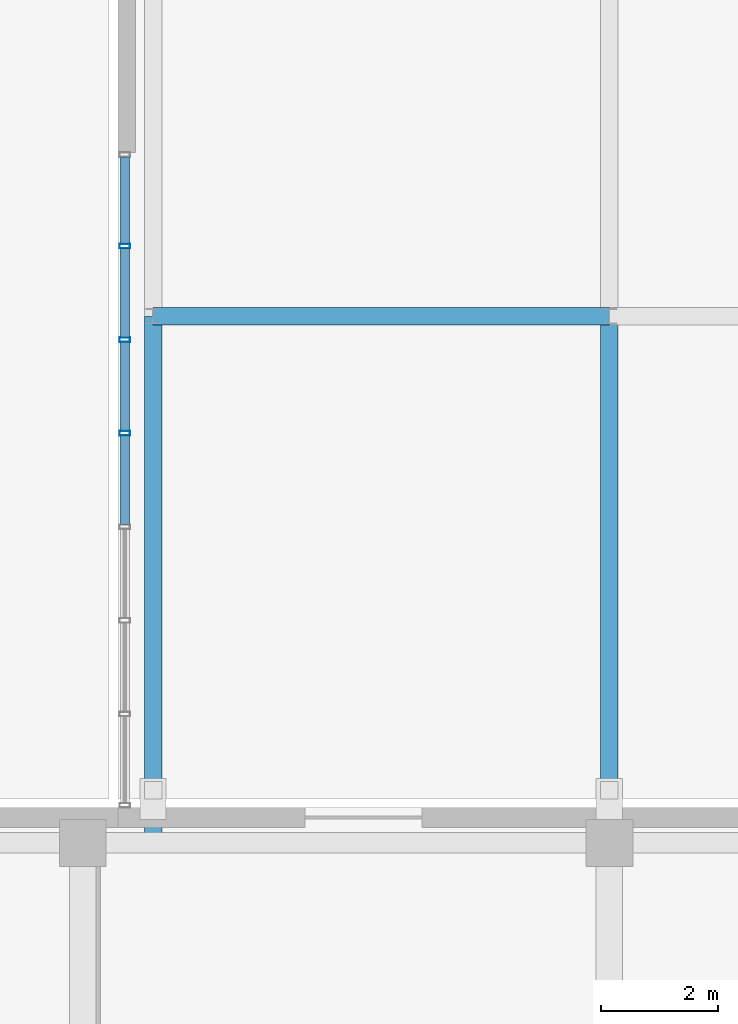
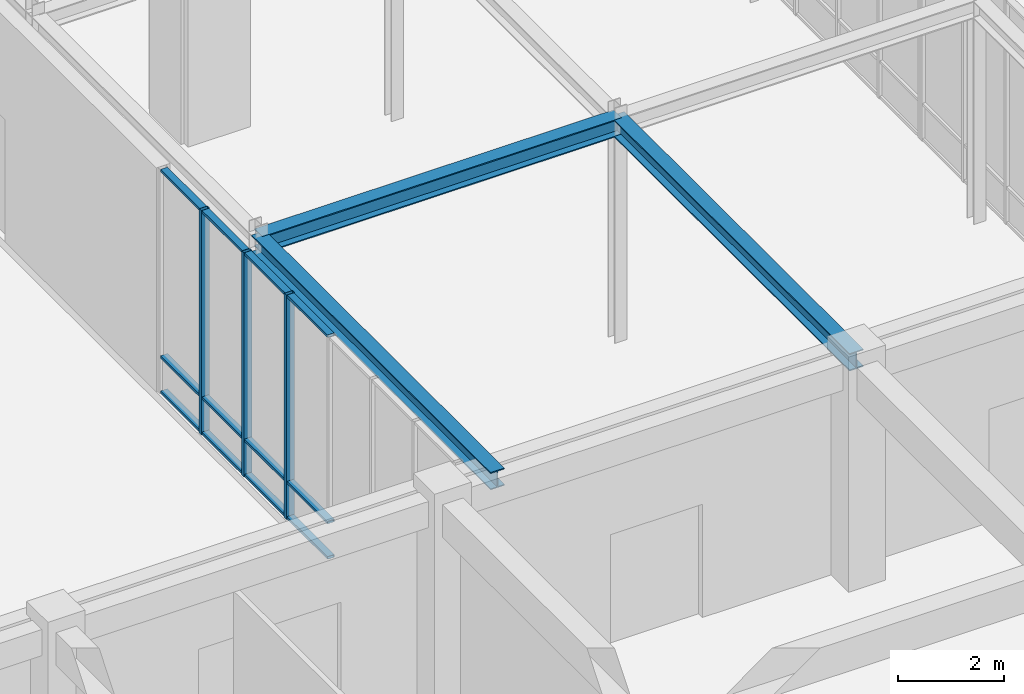
# One storey, part 17 of 122: 15 members, 3 beams, 1 element without a shape of its own.
"""IFC4 building model written with IfcOpenShell, lengths in metres."""

from ifc_helpers import new_model, si_unit, direction, frame, origin, origin_2d, place, context, subcontext, project, spatial, hollow_rectangle, i_section, extrude, material, layer, layer_set, material_profile, profile_set, type_object, element, aggregate, save


model = new_model("IFC4")

# Units and contexts
model_context = context("Model", 3, precision=1e-05, world=origin(), true_north=direction((0.0, 1.0)))
body_context = subcontext(model_context, "Body", "Model", "MODEL_VIEW")
ifc_project = project(units=[si_unit("LENGTHUNIT", "METRE"), si_unit("AREAUNIT", "SQUARE_METRE"), si_unit("VOLUMEUNIT", "CUBIC_METRE"), si_unit("PLANEANGLEUNIT", "RADIAN"), si_unit("MASSUNIT", "GRAM", prefix="KILO")], contexts=[model_context])

# Site, building, storey
site_placement = place(None, origin())
site = spatial("IfcSite", under=ifc_project, at=site_placement, CompositionType="ELEMENT")
building_placement = place(site_placement, origin())
building = spatial("IfcBuilding", under=site, at=building_placement, Name="Zayran Congress Hotel", CompositionType="ELEMENT")
storey_placement = place(building_placement, origin())
storey = spatial("IfcBuildingStorey", under=building, at=storey_placement, Name="L00", CompositionType="ELEMENT", Elevation=0.0)

# Beams
ifc_material_1 = material(Name="Steel S355", Category="steel")
ifc_material_profile_1 = material_profile(ifc_material_1, i_section(OverallWidth=0.300048828125, OverallDepth=0.39990234375, WebThickness=0.013427734375, FlangeThickness=0.02392578125, at=origin_2d()), Name="HEB 400")
ifc_profile_set_1 = profile_set([ifc_material_profile_1], Name="Steel S355")
beam_type = type_object("IfcBeamType", Name="TP-BM-10", PredefinedType="BEAM", material=ifc_profile_set_1)
beam_placement = place(storey_placement, frame((76.199951171875, 42.39990234375, 4.949951171875), z_axis=(1.0, 0.0, 0.0), x_axis=(0.0, 1.0, 0.0)))
element("IfcBeam", 1, at=beam_placement, inside=storey, type_object=beam_type, Name="BM-BR2-L00-2440", PredefinedType="BEAM", context=body_context, shape_type="SweptSolid", body=[
    extrude(i_section(OverallWidth=0.300048828125, OverallDepth=0.39990234375, WebThickness=0.013427734375, FlangeThickness=0.02392578125, at=origin_2d()), origin(), (0.0, 0.0, 1.0), 7.800048828125),
])
for number, where, z_axis, x_axis, name in (
    (2, (76.199951171875, 33.39990234375, 4.949951171875), (0.0, 1.0, 0.0), (-1.0, 0.0, 0.0), "BM-BR2Y-L00-2446"),
    (3, (84.0, 33.39990234375, 4.949951171875), (0.0, 1.0, 0.0), (-1.0, 0.0, 0.0), "BM-BR2Y-L00-2450"),
):
    element("IfcBeam", number, at=place(storey_placement, frame(where, z_axis=z_axis, x_axis=x_axis)), inside=storey, type_object=beam_type, Name=name, PredefinedType="BEAM", context=body_context, shape_type="SweptSolid", body=[
        extrude(i_section(OverallWidth=0.300048828125, OverallDepth=0.39990234375, WebThickness=0.013427734375, FlangeThickness=0.02392578125, at=origin_2d()), origin(), (0.0, 0.0, 1.0), 9.0),
    ])

# Curtain wall, members
ifc_material_2 = material(Name="Anodised aluminium and low-E insulated glass", Category="aluminium")
ifc_layer = layer(ifc_material_2, 0.179931640625)
ifc_layer_set = layer_set([ifc_layer], Name="Anodised aluminium and low-E insulated glass")
curtain_wall_type = type_object("IfcCurtainWallType", Name="CW-BR2-L00-CW-BR2-11200-5150", PredefinedType="USERDEFINED", material=ifc_layer_set)
curtain_wall_placement = place(storey_placement, origin())
curtain_wall = element("IfcCurtainWall", 4, at=curtain_wall_placement, inside=storey, type_object=curtain_wall_type, Name="CW-BR2W-L00-0", ObjectType="CURTAIN WALL", PredefinedType="USERDEFINED")
ifc_material_3 = material(Name="Anodised aluminium framing", Category="aluminium")
ifc_material_profile_2 = material_profile(ifc_material_3, hollow_rectangle(XDim=0.080078125, YDim=0.179931640625, WallThickness=0.0048828125, at=origin_2d()), Name="RHS 180x80x5")
ifc_profile_set_2 = profile_set([ifc_material_profile_2], Name="Anodised aluminium framing")
member_type_1 = type_object("IfcMemberType", Name="TP-CWM-01", PredefinedType="MULLION", material=ifc_profile_set_2)
member_1_placement = place(storey_placement, frame((75.719970703125, 43.60009765625, 0.0), z_axis=(0.0, 0.0, 1.0), x_axis=(0.0, 1.0, 0.0)))
member_1 = element("IfcMember", 5, at=member_1_placement, type_object=member_type_1, Name="CW-BR2W-L00-0-M01", PredefinedType="MULLION", context=body_context, shape_type="SweptSolid", body=[
    extrude(hollow_rectangle(XDim=0.080078125, YDim=0.179931640625, WallThickness=0.0048828125, at=origin_2d()), origin(), (0.0, 0.0, 1.0), 5.14990234375),
])
member_2_placement = place(storey_placement, frame((75.719970703125, 42.0, 0.0), z_axis=(0.0, 0.0, 1.0), x_axis=(0.0, 1.0, 0.0)))
member_2 = element("IfcMember", 6, at=member_2_placement, type_object=member_type_1, Name="CW-BR2W-L00-0-M02", PredefinedType="MULLION", context=body_context, shape_type="SweptSolid", body=[
    extrude(hollow_rectangle(XDim=0.080078125, YDim=0.179931640625, WallThickness=0.0048828125, at=origin_2d()), origin(), (0.0, 0.0, 1.0), 5.14990234375),
])
member_3_placement = place(storey_placement, frame((75.719970703125, 40.39990234375, 0.0), z_axis=(0.0, 0.0, 1.0), x_axis=(0.0, 1.0, 0.0)))
member_3 = element("IfcMember", 7, at=member_3_placement, type_object=member_type_1, Name="CW-BR2W-L00-0-M03", PredefinedType="MULLION", context=body_context, shape_type="SweptSolid", body=[
    extrude(hollow_rectangle(XDim=0.080078125, YDim=0.179931640625, WallThickness=0.0048828125, at=origin_2d()), origin(), (0.0, 0.0, 1.0), 5.14990234375),
])
ifc_material_profile_3 = material_profile(ifc_material_3, hollow_rectangle(XDim=0.06005859375, YDim=0.14990234375, WallThickness=0.00390625, at=origin_2d()), Name="RHS 150x60x4")
ifc_profile_set_3 = profile_set([ifc_material_profile_3], Name="Anodised aluminium framing")
member_type_2 = type_object("IfcMemberType", Name="TP-CWT-01", PredefinedType="USERDEFINED", material=ifc_profile_set_3)
member_4_placement = place(storey_placement, frame((75.719970703125, 45.1201171875, 0.030029296875), z_axis=(0.0, -1.0, 0.0), x_axis=(0.0, 0.0, 1.0)))
member_4 = element("IfcMember", 8, at=member_4_placement, type_object=member_type_2, Name="CW-BR2W-L00-0-T00-0", ObjectType="TRANSOM", PredefinedType="USERDEFINED", context=body_context, shape_type="SweptSolid", body=[
    extrude(hollow_rectangle(XDim=0.06005859375, YDim=0.14990234375, WallThickness=0.00390625, at=origin_2d()), origin(), (0.0, 0.0, 1.0), 1.480224609375),
])
member_5_placement = place(storey_placement, frame((75.719970703125, 45.1201171875, 0.840087890625), z_axis=(0.0, -1.0, 0.0), x_axis=(0.0, 0.0, 1.0)))
member_5 = element("IfcMember", 9, at=member_5_placement, type_object=member_type_2, Name="CW-BR2W-L00-0-T00-1", ObjectType="TRANSOM", PredefinedType="USERDEFINED", context=body_context, shape_type="SweptSolid", body=[
    extrude(hollow_rectangle(XDim=0.06005859375, YDim=0.14990234375, WallThickness=0.00390625, at=origin_2d()), origin(), (0.0, 0.0, 1.0), 1.480224609375),
])
member_6_placement = place(storey_placement, frame((75.719970703125, 45.1201171875, 5.1201171875), z_axis=(0.0, -1.0, 0.0), x_axis=(0.0, 0.0, 1.0)))
member_6 = element("IfcMember", 10, at=member_6_placement, type_object=member_type_2, Name="CW-BR2W-L00-0-T00-2", ObjectType="TRANSOM", PredefinedType="USERDEFINED", context=body_context, shape_type="SweptSolid", body=[
    extrude(hollow_rectangle(XDim=0.06005859375, YDim=0.14990234375, WallThickness=0.00390625, at=origin_2d()), origin(), (0.0, 0.0, 1.0), 1.480224609375),
])
member_7_placement = place(storey_placement, frame((75.719970703125, 43.56005859375, 0.030029296875), z_axis=(0.0, -1.0, 0.0), x_axis=(0.0, 0.0, 1.0)))
member_7 = element("IfcMember", 11, at=member_7_placement, type_object=member_type_2, Name="CW-BR2W-L00-0-T01-0", ObjectType="TRANSOM", PredefinedType="USERDEFINED", context=body_context, shape_type="SweptSolid", body=[
    extrude(hollow_rectangle(XDim=0.06005859375, YDim=0.14990234375, WallThickness=0.00390625, at=origin_2d()), origin(), (0.0, 0.0, 1.0), 1.52001953125),
])
member_8_placement = place(storey_placement, frame((75.719970703125, 43.56005859375, 0.840087890625), z_axis=(0.0, -1.0, 0.0), x_axis=(0.0, 0.0, 1.0)))
member_8 = element("IfcMember", 12, at=member_8_placement, type_object=member_type_2, Name="CW-BR2W-L00-0-T01-1", ObjectType="TRANSOM", PredefinedType="USERDEFINED", context=body_context, shape_type="SweptSolid", body=[
    extrude(hollow_rectangle(XDim=0.06005859375, YDim=0.14990234375, WallThickness=0.00390625, at=origin_2d()), origin(), (0.0, 0.0, 1.0), 1.52001953125),
])
member_9_placement = place(storey_placement, frame((75.719970703125, 43.56005859375, 5.1201171875), z_axis=(0.0, -1.0, 0.0), x_axis=(0.0, 0.0, 1.0)))
member_9 = element("IfcMember", 13, at=member_9_placement, type_object=member_type_2, Name="CW-BR2W-L00-0-T01-2", ObjectType="TRANSOM", PredefinedType="USERDEFINED", context=body_context, shape_type="SweptSolid", body=[
    extrude(hollow_rectangle(XDim=0.06005859375, YDim=0.14990234375, WallThickness=0.00390625, at=origin_2d()), origin(), (0.0, 0.0, 1.0), 1.52001953125),
])
member_10_placement = place(storey_placement, frame((75.719970703125, 41.9599609375, 0.030029296875), z_axis=(0.0, -1.0, 0.0), x_axis=(0.0, 0.0, 1.0)))
member_10 = element("IfcMember", 14, at=member_10_placement, type_object=member_type_2, Name="CW-BR2W-L00-0-T02-0", ObjectType="TRANSOM", PredefinedType="USERDEFINED", context=body_context, shape_type="SweptSolid", body=[
    extrude(hollow_rectangle(XDim=0.06005859375, YDim=0.14990234375, WallThickness=0.00390625, at=origin_2d()), origin(), (0.0, 0.0, 1.0), 1.52001953125),
])
member_11_placement = place(storey_placement, frame((75.719970703125, 41.9599609375, 0.840087890625), z_axis=(0.0, -1.0, 0.0), x_axis=(0.0, 0.0, 1.0)))
member_11 = element("IfcMember", 15, at=member_11_placement, type_object=member_type_2, Name="CW-BR2W-L00-0-T02-1", ObjectType="TRANSOM", PredefinedType="USERDEFINED", context=body_context, shape_type="SweptSolid", body=[
    extrude(hollow_rectangle(XDim=0.06005859375, YDim=0.14990234375, WallThickness=0.00390625, at=origin_2d()), origin(), (0.0, 0.0, 1.0), 1.52001953125),
])
member_12_placement = place(storey_placement, frame((75.719970703125, 41.9599609375, 5.1201171875), z_axis=(0.0, -1.0, 0.0), x_axis=(0.0, 0.0, 1.0)))
member_12 = element("IfcMember", 16, at=member_12_placement, type_object=member_type_2, Name="CW-BR2W-L00-0-T02-2", ObjectType="TRANSOM", PredefinedType="USERDEFINED", context=body_context, shape_type="SweptSolid", body=[
    extrude(hollow_rectangle(XDim=0.06005859375, YDim=0.14990234375, WallThickness=0.00390625, at=origin_2d()), origin(), (0.0, 0.0, 1.0), 1.52001953125),
])
member_13_placement = place(storey_placement, frame((75.719970703125, 40.360107421875, 0.030029296875), z_axis=(0.0, -1.0, 0.0), x_axis=(0.0, 0.0, 1.0)))
member_13 = element("IfcMember", 17, at=member_13_placement, type_object=member_type_2, Name="CW-BR2W-L00-0-T03-0", ObjectType="TRANSOM", PredefinedType="USERDEFINED", context=body_context, shape_type="SweptSolid", body=[
    extrude(hollow_rectangle(XDim=0.06005859375, YDim=0.14990234375, WallThickness=0.00390625, at=origin_2d()), origin(), (0.0, 0.0, 1.0), 1.52001953125),
])
member_14_placement = place(storey_placement, frame((75.719970703125, 40.360107421875, 0.840087890625), z_axis=(0.0, -1.0, 0.0), x_axis=(0.0, 0.0, 1.0)))
member_14 = element("IfcMember", 18, at=member_14_placement, type_object=member_type_2, Name="CW-BR2W-L00-0-T03-1", ObjectType="TRANSOM", PredefinedType="USERDEFINED", context=body_context, shape_type="SweptSolid", body=[
    extrude(hollow_rectangle(XDim=0.06005859375, YDim=0.14990234375, WallThickness=0.00390625, at=origin_2d()), origin(), (0.0, 0.0, 1.0), 1.52001953125),
])
member_15_placement = place(storey_placement, frame((75.719970703125, 40.360107421875, 5.1201171875), z_axis=(0.0, -1.0, 0.0), x_axis=(0.0, 0.0, 1.0)))
member_15 = element("IfcMember", 19, at=member_15_placement, type_object=member_type_2, Name="CW-BR2W-L00-0-T03-2", ObjectType="TRANSOM", PredefinedType="USERDEFINED", context=body_context, shape_type="SweptSolid", body=[
    extrude(hollow_rectangle(XDim=0.06005859375, YDim=0.14990234375, WallThickness=0.00390625, at=origin_2d()), origin(), (0.0, 0.0, 1.0), 1.52001953125),
])
aggregate(curtain_wall, [member_1, member_2, member_3, member_4, member_5, member_6, member_7, member_8, member_9, member_10, member_11, member_12, member_13, member_14, member_15])

save(model, "model.ifc")
